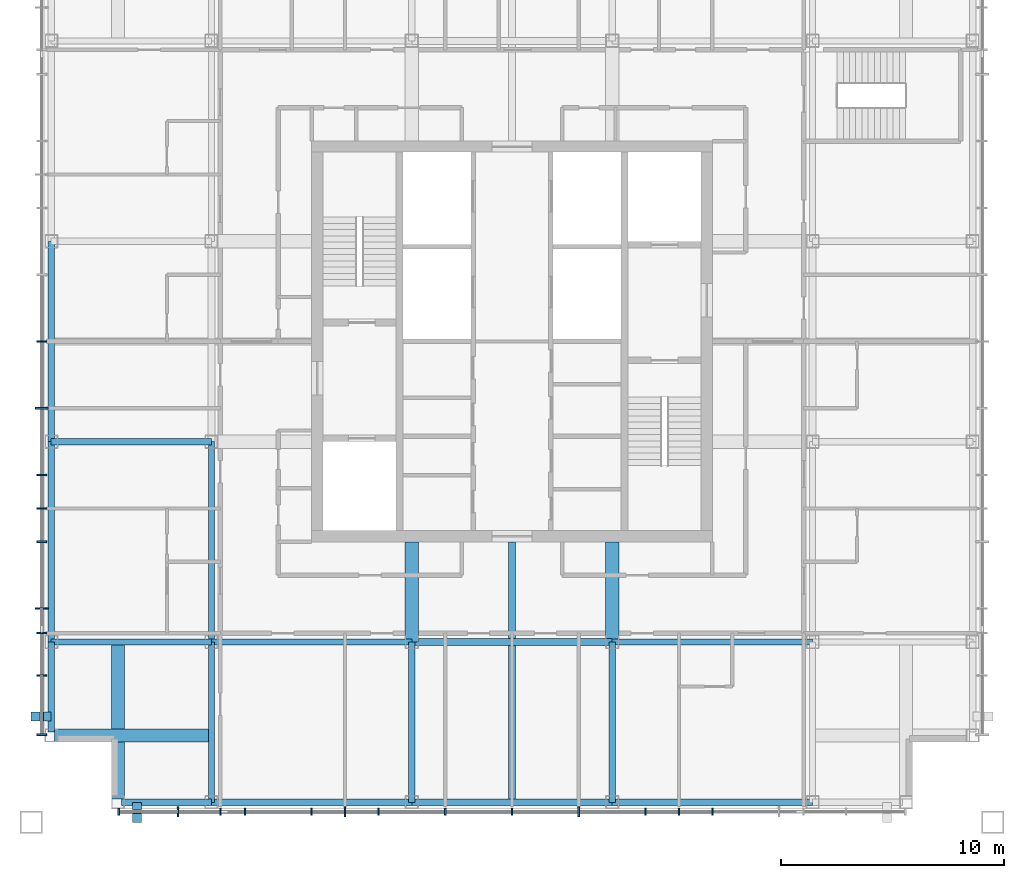
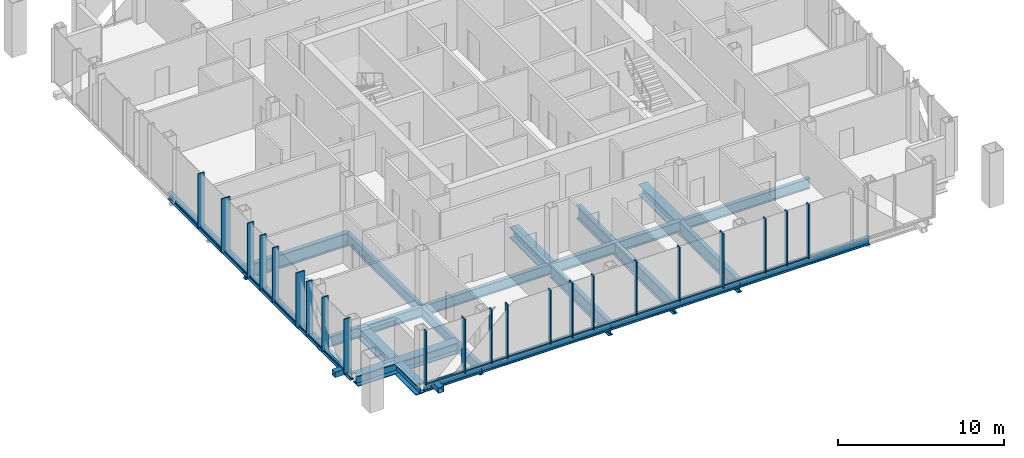
# One storey, part 2 of 16: 45 members, 21 beams, 2 elements without a shape of their own.
"""IFC4 building model written with IfcOpenShell, lengths in metres."""

import ifcopenshell
import ifcopenshell.guid

model = None  # the IFC model being written
_history = None  # IfcOwnerHistory: only IFC2X3 demands one
_inside = {}  # id of a spatial element -> (the spatial element, [elements in it])
_under = {}  # id of a project, library or spatial element -> (it, [spatial elements below it])
_declared = {}  # id of a project -> (the project, [libraries it declares])
_typed = {}  # id of a type object -> (the type object, [elements of that type])
_made_of = {}  # id of a material, layer set ... -> (it, [elements and type objects made of it])


def new_model(schema):
    """Start an empty IFC model of exactly this schema.

    Asked for "IFC4X3", IfcOpenShell would pick the latest addendum, in which some entities
    have other attributes; the version numbers below select the first issue.
    IFC2X3 requires an IfcOwnerHistory on every rooted entity: one is made here for all.
    """
    global model, _history
    if schema == "IFC4X3":
        model = ifcopenshell.file(schema_version=(4, 3, 0, 0))
    else:
        model = ifcopenshell.file(schema=schema)
    _inside.clear()
    _under.clear()
    _declared.clear()
    _typed.clear()
    _made_of.clear()
    _history = None
    if model.schema == "IFC2X3":
        org = make("IfcOrganization", Name="unknown")
        user = make(
            "IfcPersonAndOrganization",
            ThePerson=make("IfcPerson", FamilyName="unknown"),
            TheOrganization=org,
        )
        app = make(
            "IfcApplication",
            ApplicationDeveloper=org,
            Version="unknown",
            ApplicationFullName="unknown",
            ApplicationIdentifier="unknown",
        )
        _history = make(
            "IfcOwnerHistory",
            OwningUser=user,
            OwningApplication=app,
            ChangeAction="ADDED",
            CreationDate=0,
        )
    return model


def make(cls, **values):
    """One entity of the class cls with the attributes given. An attribute that is None is left unset."""
    return model.create_entity(
        cls, **{name: value for name, value in values.items() if value is not None}
    )


def rooted(cls, **values):
    """An entity with a GlobalId (a new one), such as an element, a storey or a relation."""
    return make(cls, GlobalId=ifcopenshell.guid.new(), OwnerHistory=_history, **values)


def si_unit(unit_type, name, prefix=None):
    """IfcSIUnit, for example si_unit("LENGTHUNIT", "METRE", prefix="MILLI")."""
    return make("IfcSIUnit", UnitType=unit_type, Prefix=prefix, Name=name)


def assignment(units):
    """IfcUnitAssignment: the units of a project."""
    return None if units is None else make("IfcUnitAssignment", Units=units)


def point(xyz):
    """IfcCartesianPoint."""
    return None if xyz is None else make("IfcCartesianPoint", Coordinates=xyz)


def direction(xyz):
    """IfcDirection."""
    return None if xyz is None else make("IfcDirection", DirectionRatios=xyz)


def frame(location, z_axis=None, x_axis=None):
    """IfcAxis2Placement3D, a coordinate frame: its origin and axes. An axis left out is left unset."""
    return make(
        "IfcAxis2Placement3D",
        Location=point(location),
        Axis=direction(z_axis),
        RefDirection=direction(x_axis),
    )


def frame_2d(location, x_axis=None):
    """IfcAxis2Placement2D, a coordinate frame in the plane: its origin and x axis."""
    return make(
        "IfcAxis2Placement2D", Location=point(location), RefDirection=direction(x_axis)
    )


def origin():
    """The frame at (0, 0, 0) with its axes left unset."""
    return frame((0.0, 0.0, 0.0))


def origin_2d():
    """The frame at (0, 0) in the plane with its x axis left unset."""
    return frame_2d((0.0, 0.0))


def place(relative_to, where):
    """IfcLocalPlacement: puts the frame where relative to a parent placement (None: the world)."""
    return make(
        "IfcLocalPlacement", PlacementRelTo=relative_to, RelativePlacement=where
    )


def context(
    kind, dimensions, precision=None, world=None, true_north=None, identifier=None
):
    """IfcGeometricRepresentationContext, for example the 3D "Model" context."""
    return make(
        "IfcGeometricRepresentationContext",
        ContextIdentifier=identifier,
        ContextType=kind,
        CoordinateSpaceDimension=dimensions,
        Precision=precision,
        WorldCoordinateSystem=world,
        TrueNorth=true_north,
    )


def subcontext(parent, identifier, kind, view, scale=None):
    """IfcGeometricRepresentationSubContext, for example "Body" below "Model"."""
    return make(
        "IfcGeometricRepresentationSubContext",
        ContextIdentifier=identifier,
        ContextType=kind,
        ParentContext=parent,
        TargetScale=scale,
        TargetView=view,
    )


def project(units=None, contexts=None):
    """IfcProject with its units and contexts."""
    return rooted(
        "IfcProject",
        Name="project",
        RepresentationContexts=contexts,
        UnitsInContext=assignment(units),
    )


def spatial(cls, under=None, at=None, **own):
    """A site, building, storey or space (cls), placed at a placement, below another one or the project."""
    s = rooted(cls, ObjectPlacement=at, **own)
    if under is not None:
        _under.setdefault(under.id(), (under, []))[1].append(s)
    return s


def profile(cls, at=None, kind="AREA", **sizes):
    """A parametric profile (cls). Its sizes go by their IFC names, for example OverallWidth=200.0."""
    return make(cls, ProfileType=kind, Position=at, **sizes)


def rectangle(**sizes):
    """IfcRectangleProfileDef."""
    return profile("IfcRectangleProfileDef", **sizes)


def hollow_rectangle(**sizes):
    """IfcRectangleHollowProfileDef."""
    return profile("IfcRectangleHollowProfileDef", **sizes)


def i_section(**sizes):
    """IfcIShapeProfileDef."""
    return profile("IfcIShapeProfileDef", **sizes)


def extrude(swept, where, along, depth):
    """IfcExtrudedAreaSolid: the profile swept, set in the frame where, extruded along a direction by depth."""
    return make(
        "IfcExtrudedAreaSolid",
        SweptArea=swept,
        Position=where,
        ExtrudedDirection=direction(along),
        Depth=depth,
    )


def shape(context_of_items, identifier, shape_type, items):
    """IfcShapeRepresentation: the items that make up one representation, for example the "Body"."""
    return make(
        "IfcShapeRepresentation",
        ContextOfItems=context_of_items,
        RepresentationIdentifier=identifier,
        RepresentationType=shape_type,
        Items=items,
    )


def material(Name=None, Category=None):
    """IfcMaterial."""
    return make("IfcMaterial", Name=Name, Category=Category)


def layer(
    of_material, thickness, ventilated=None, Name=None, Category=None, Priority=None
):
    """IfcMaterialLayer: one layer of a wall or slab, of a material (None: an air gap)."""
    return make(
        "IfcMaterialLayer",
        Material=of_material,
        LayerThickness=thickness,
        IsVentilated=ventilated,
        Name=Name,
        Category=Category,
        Priority=Priority,
    )


def layer_set(layers, Name=None):
    """IfcMaterialLayerSet."""
    return make("IfcMaterialLayerSet", MaterialLayers=layers, LayerSetName=Name)


def material_profile(
    of_material, cross_section, Name=None, Category=None, Priority=None
):
    """IfcMaterialProfile: a cross section and its material."""
    return make(
        "IfcMaterialProfile",
        Name=Name,
        Material=of_material,
        Profile=cross_section,
        Priority=Priority,
        Category=Category,
    )


def profile_set(profiles, Name=None, composite=None):
    """IfcMaterialProfileSet."""
    return make(
        "IfcMaterialProfileSet",
        Name=Name,
        MaterialProfiles=profiles,
        CompositeProfile=composite,
    )


def made_of(thing, what):
    """Note that an element or type object is made of a material, layer set ...; save() writes the relation."""
    if what is not None:
        _made_of.setdefault(what.id(), (what, []))[1].append(thing)
    return thing


def type_object(cls, material=None, **own):
    """A type object (cls), such as IfcWallType, which elements share."""
    return made_of(rooted(cls, **own), material)


def element(
    cls,
    number,
    at=None,
    inside=None,
    cuts=None,
    type_object=None,
    material=None,
    context=None,
    identifier="Body",
    shape_type=None,
    held_by="IfcProductDefinitionShape",
    body=None,
    shapes=None,
    **own,
):
    """One element of the class cls, such as IfcWall. Its Tag is "e" and its number.

    at: its placement. inside: the storey or other place that contains it. cuts: it is an
    opening in that element (IfcRelVoidsElement). A single representation is given by context,
    identifier, shape_type and body (its items); several are given by shapes. held_by: the class
    of the entity that holds the representations. save() writes the other relations.
    """
    e = rooted(cls, Tag="e%d" % number, ObjectPlacement=at, **own)
    if body is not None:
        shapes = [shape(context, identifier, shape_type, body)]
    if shapes is not None:
        e.Representation = make(held_by, Representations=shapes)
    if inside is not None:
        _inside.setdefault(inside.id(), (inside, []))[1].append(e)
    if cuts is not None:
        rooted(
            "IfcRelVoidsElement", RelatingBuildingElement=cuts, RelatedOpeningElement=e
        )
    if type_object is not None:
        _typed.setdefault(type_object.id(), (type_object, []))[1].append(e)
    return made_of(e, material)


def aggregate(whole, parts):
    """IfcRelAggregates: a whole, such as a stair, and the parts it consists of."""
    return rooted("IfcRelAggregates", RelatingObject=whole, RelatedObjects=parts)


def save(model, path):
    """Write the relations noted so far, then the file.

    IfcRelAggregates (storeys below a building ...), IfcRelContainedInSpatialStructure (elements
    in a storey), IfcRelDefinesByType, IfcRelAssociatesMaterial and IfcRelDeclares: one each for
    every whole, place, type object, material and project.
    """
    for whole, parts in _under.values():
        aggregate(whole, parts)
    for where, things in _inside.values():
        rooted(
            "IfcRelContainedInSpatialStructure",
            RelatedElements=things,
            RelatingStructure=where,
        )
    for kind, things in _typed.values():
        rooted("IfcRelDefinesByType", RelatedObjects=things, RelatingType=kind)
    for what, things in _made_of.values():
        rooted("IfcRelAssociatesMaterial", RelatedObjects=things, RelatingMaterial=what)
    for by, libraries in _declared.values():
        rooted("IfcRelDeclares", RelatingContext=by, RelatedDefinitions=libraries)
    model.write(path)


model = new_model("IFC4")

# Units and contexts
model_context = context("Model", 3, precision=1e-05, world=origin(), true_north=direction((0.0, 1.0)))
body_context = subcontext(model_context, "Body", "Model", "MODEL_VIEW")
ifc_project = project(units=[si_unit("LENGTHUNIT", "METRE"), si_unit("AREAUNIT", "SQUARE_METRE"), si_unit("VOLUMEUNIT", "CUBIC_METRE"), si_unit("PLANEANGLEUNIT", "RADIAN"), si_unit("MASSUNIT", "GRAM", prefix="KILO")], contexts=[model_context])

# Site, building, storey
site_placement = place(None, origin())
site = spatial("IfcSite", under=ifc_project, at=site_placement, CompositionType="ELEMENT")
building_placement = place(site_placement, origin())
building = spatial("IfcBuilding", under=site, at=building_placement, Name="Malebo Sky Hospital", CompositionType="ELEMENT")
storey_placement = place(building_placement, frame((0.0, 0.0, 254.0)))
storey = spatial("IfcBuildingStorey", under=building, at=storey_placement, Name="L61", CompositionType="ELEMENT", Elevation=254.0)

# Curtain wall, members
ifc_material_1 = material(Name="Anodised aluminium, natural silver", Category="aluminium")
ifc_layer_1 = layer(ifc_material_1, 0.25)
ifc_layer_set_1 = layer_set([ifc_layer_1], Name="WARD CURTAIN WALL EAST AND WEST")
curtain_wall_type_1 = type_object("IfcCurtainWallType", Name="WARD CURTAIN WALL EAST AND WEST", PredefinedType="NOTDEFINED", material=ifc_layer_set_1)
curtain_wall_1_placement = place(storey_placement, origin())
curtain_wall_1 = element("IfcCurtainWall", 1, at=curtain_wall_1_placement, inside=storey, type_object=curtain_wall_type_1, Name="EW curtain wall W", PredefinedType="NOTDEFINED")
ifc_material_profile_1 = material_profile(ifc_material_1, rectangle(XDim=0.14990234375, YDim=0.10009765625, at=origin_2d()), Name="ALUMINIUM TRANSOM 150x100")
ifc_profile_set_1 = profile_set([ifc_material_profile_1], Name="Anodised aluminium, natural silver")
member_type_1 = type_object("IfcMemberType", Name="ALUMINIUM TRANSOM 150x100", PredefinedType="USERDEFINED", material=ifc_profile_set_1)
member_1_placement = place(storey_placement, frame((38.875, 44.375, 0.050048828125), z_axis=(0.0, 1.0, 0.0), x_axis=(-1.0, 0.0, 0.0)))
member_1 = element("IfcMember", 2, at=member_1_placement, type_object=member_type_1, Name="Transom 1", ObjectType="TRANSOM", PredefinedType="USERDEFINED", context=body_context, shape_type="SweptSolid", body=[
    extrude(rectangle(XDim=0.14990234375, YDim=0.10009765625, at=origin_2d()), origin(), (0.0, 0.0, 1.0), 2.58740234375),
])
member_2_placement = place(storey_placement, frame((38.875, 47.03759765625, 0.050048828125), z_axis=(0.0, 1.0, 0.0), x_axis=(-1.0, 0.0, 0.0)))
member_2 = element("IfcMember", 3, at=member_2_placement, type_object=member_type_1, Name="Transom 2", ObjectType="TRANSOM", PredefinedType="USERDEFINED", context=body_context, shape_type="SweptSolid", body=[
    extrude(rectangle(XDim=0.14990234375, YDim=0.10009765625, at=origin_2d()), origin(), (0.0, 0.0, 1.0), 1.824951171875),
])
member_3_placement = place(storey_placement, frame((38.875, 48.9375, 0.050048828125), z_axis=(0.0, 1.0, 0.0), x_axis=(-1.0, 0.0, 0.0)))
member_3 = element("IfcMember", 4, at=member_3_placement, type_object=member_type_1, Name="Transom 3", ObjectType="TRANSOM", PredefinedType="USERDEFINED", context=body_context, shape_type="SweptSolid", body=[
    extrude(rectangle(XDim=0.14990234375, YDim=0.10009765625, at=origin_2d()), origin(), (0.0, 0.0, 1.0), 1.02490234375),
])
member_4_placement = place(storey_placement, frame((38.875, 50.03759765625, 0.050048828125), z_axis=(0.0, 1.0, 0.0), x_axis=(-1.0, 0.0, 0.0)))
member_4 = element("IfcMember", 5, at=member_4_placement, type_object=member_type_1, Name="Transom 4", ObjectType="TRANSOM", PredefinedType="USERDEFINED", context=body_context, shape_type="SweptSolid", body=[
    extrude(rectangle(XDim=0.14990234375, YDim=0.10009765625, at=origin_2d()), origin(), (0.0, 0.0, 1.0), 2.9248046875),
])
member_5_placement = place(storey_placement, frame((38.875, 53.03759765625, 0.050048828125), z_axis=(0.0, 1.0, 0.0), x_axis=(-1.0, 0.0, 0.0)))
member_5 = element("IfcMember", 6, at=member_5_placement, type_object=member_type_1, Name="Transom 5", ObjectType="TRANSOM", PredefinedType="USERDEFINED", context=body_context, shape_type="SweptSolid", body=[
    extrude(rectangle(XDim=0.14990234375, YDim=0.10009765625, at=origin_2d()), origin(), (0.0, 0.0, 1.0), 1.4248046875),
])
member_6_placement = place(storey_placement, frame((38.875, 54.53759765625, 0.050048828125), z_axis=(0.0, 1.0, 0.0), x_axis=(-1.0, 0.0, 0.0)))
member_6 = element("IfcMember", 7, at=member_6_placement, type_object=member_type_1, Name="Transom 6", ObjectType="TRANSOM", PredefinedType="USERDEFINED", context=body_context, shape_type="SweptSolid", body=[
    extrude(rectangle(XDim=0.14990234375, YDim=0.10009765625, at=origin_2d()), origin(), (0.0, 0.0, 1.0), 1.4248046875),
])
member_7_placement = place(storey_placement, frame((38.875, 56.03759765625, 0.050048828125), z_axis=(0.0, 1.0, 0.0), x_axis=(-1.0, 0.0, 0.0)))
member_7 = element("IfcMember", 8, at=member_7_placement, type_object=member_type_1, Name="Transom 7", ObjectType="TRANSOM", PredefinedType="USERDEFINED", context=body_context, shape_type="SweptSolid", body=[
    extrude(rectangle(XDim=0.14990234375, YDim=0.10009765625, at=origin_2d()), origin(), (0.0, 0.0, 1.0), 2.9248046875),
])
member_8_placement = place(storey_placement, frame((38.875, 59.03759765625, 0.050048828125), z_axis=(0.0, 1.0, 0.0), x_axis=(-1.0, 0.0, 0.0)))
member_8 = element("IfcMember", 9, at=member_8_placement, type_object=member_type_1, Name="Transom 8", ObjectType="TRANSOM", PredefinedType="USERDEFINED", context=body_context, shape_type="SweptSolid", body=[
    extrude(rectangle(XDim=0.14990234375, YDim=0.10009765625, at=origin_2d()), origin(), (0.0, 0.0, 1.0), 2.9248046875),
])
member_9_placement = place(storey_placement, frame((38.875, 62.03759765625, 0.050048828125), z_axis=(0.0, 1.0, 0.0), x_axis=(-1.0, 0.0, 0.0)))
member_9 = element("IfcMember", 10, at=member_9_placement, type_object=member_type_1, Name="Transom 9", ObjectType="TRANSOM", PredefinedType="USERDEFINED", context=body_context, shape_type="SweptSolid", body=[
    extrude(rectangle(XDim=0.14990234375, YDim=0.10009765625, at=origin_2d()), origin(), (0.0, 0.0, 1.0), 2.9248046875),
])

ifc_layer_2 = layer(ifc_material_1, 0.25)
ifc_layer_set_2 = layer_set([ifc_layer_2], Name="WARD CURTAIN WALL NORTH AND SOUTH")
curtain_wall_type_2 = type_object("IfcCurtainWallType", Name="WARD CURTAIN WALL NORTH AND SOUTH", PredefinedType="NOTDEFINED", material=ifc_layer_set_2)
curtain_wall_2_placement = place(storey_placement, origin())
curtain_wall_2 = element("IfcCurtainWall", 11, at=curtain_wall_2_placement, inside=storey, type_object=curtain_wall_type_2, Name="NS curtain wall S", PredefinedType="NOTDEFINED")
member_10_placement = place(storey_placement, frame((68.96240234375, 40.875, 0.050048828125), z_axis=(-1.0, 0.0, 0.0), x_axis=(0.0, -1.0, 0.0)))
member_10 = element("IfcMember", 12, at=member_10_placement, type_object=member_type_1, Name="Transom 5", ObjectType="TRANSOM", PredefinedType="USERDEFINED", context=body_context, shape_type="SweptSolid", body=[
    extrude(rectangle(XDim=0.14990234375, YDim=0.10009765625, at=origin_2d()), origin(), (0.0, 0.0, 1.0), 1.4248046875),
])
member_11_placement = place(storey_placement, frame((67.46240234375, 40.875, 0.050048828125), z_axis=(-1.0, 0.0, 0.0), x_axis=(0.0, -1.0, 0.0)))
member_11 = element("IfcMember", 13, at=member_11_placement, type_object=member_type_1, Name="Transom 6", ObjectType="TRANSOM", PredefinedType="USERDEFINED", context=body_context, shape_type="SweptSolid", body=[
    extrude(rectangle(XDim=0.14990234375, YDim=0.10009765625, at=origin_2d()), origin(), (0.0, 0.0, 1.0), 1.4248046875),
])
member_12_placement = place(storey_placement, frame((65.96240234375, 40.875, 0.050048828125), z_axis=(-1.0, 0.0, 0.0), x_axis=(0.0, -1.0, 0.0)))
member_12 = element("IfcMember", 14, at=member_12_placement, type_object=member_type_1, Name="Transom 7", ObjectType="TRANSOM", PredefinedType="USERDEFINED", context=body_context, shape_type="SweptSolid", body=[
    extrude(rectangle(XDim=0.14990234375, YDim=0.10009765625, at=origin_2d()), origin(), (0.0, 0.0, 1.0), 2.9248046875),
])
member_13_placement = place(storey_placement, frame((62.96240234375, 40.875, 0.050048828125), z_axis=(-1.0, 0.0, 0.0), x_axis=(0.0, -1.0, 0.0)))
member_13 = element("IfcMember", 15, at=member_13_placement, type_object=member_type_1, Name="Transom 8", ObjectType="TRANSOM", PredefinedType="USERDEFINED", context=body_context, shape_type="SweptSolid", body=[
    extrude(rectangle(XDim=0.14990234375, YDim=0.10009765625, at=origin_2d()), origin(), (0.0, 0.0, 1.0), 2.9248046875),
])
member_14_placement = place(storey_placement, frame((59.96240234375, 40.875, 0.050048828125), z_axis=(-1.0, 0.0, 0.0), x_axis=(0.0, -1.0, 0.0)))
member_14 = element("IfcMember", 16, at=member_14_placement, type_object=member_type_1, Name="Transom 9", ObjectType="TRANSOM", PredefinedType="USERDEFINED", context=body_context, shape_type="SweptSolid", body=[
    extrude(rectangle(XDim=0.14990234375, YDim=0.10009765625, at=origin_2d()), origin(), (0.0, 0.0, 1.0), 2.9248046875),
])
member_15_placement = place(storey_placement, frame((56.96240234375, 40.875, 0.050048828125), z_axis=(-1.0, 0.0, 0.0), x_axis=(0.0, -1.0, 0.0)))
member_15 = element("IfcMember", 17, at=member_15_placement, type_object=member_type_1, Name="Transom 10", ObjectType="TRANSOM", PredefinedType="USERDEFINED", context=body_context, shape_type="SweptSolid", body=[
    extrude(rectangle(XDim=0.14990234375, YDim=0.10009765625, at=origin_2d()), origin(), (0.0, 0.0, 1.0), 2.9248046875),
])
member_16_placement = place(storey_placement, frame((53.96240234375, 40.875, 0.050048828125), z_axis=(-1.0, 0.0, 0.0), x_axis=(0.0, -1.0, 0.0)))
member_16 = element("IfcMember", 18, at=member_16_placement, type_object=member_type_1, Name="Transom 11", ObjectType="TRANSOM", PredefinedType="USERDEFINED", context=body_context, shape_type="SweptSolid", body=[
    extrude(rectangle(XDim=0.14990234375, YDim=0.10009765625, at=origin_2d()), origin(), (0.0, 0.0, 1.0), 1.4248046875),
])
member_17_placement = place(storey_placement, frame((52.46240234375, 40.875, 0.050048828125), z_axis=(-1.0, 0.0, 0.0), x_axis=(0.0, -1.0, 0.0)))
member_17 = element("IfcMember", 19, at=member_17_placement, type_object=member_type_1, Name="Transom 12", ObjectType="TRANSOM", PredefinedType="USERDEFINED", context=body_context, shape_type="SweptSolid", body=[
    extrude(rectangle(XDim=0.14990234375, YDim=0.10009765625, at=origin_2d()), origin(), (0.0, 0.0, 1.0), 1.4248046875),
])
member_18_placement = place(storey_placement, frame((50.96240234375, 40.875, 0.050048828125), z_axis=(-1.0, 0.0, 0.0), x_axis=(0.0, -1.0, 0.0)))
member_18 = element("IfcMember", 20, at=member_18_placement, type_object=member_type_1, Name="Transom 13", ObjectType="TRANSOM", PredefinedType="USERDEFINED", context=body_context, shape_type="SweptSolid", body=[
    extrude(rectangle(XDim=0.14990234375, YDim=0.10009765625, at=origin_2d()), origin(), (0.0, 0.0, 1.0), 2.9248046875),
])
member_19_placement = place(storey_placement, frame((47.96240234375, 40.875, 0.050048828125), z_axis=(-1.0, 0.0, 0.0), x_axis=(0.0, -1.0, 0.0)))
member_19 = element("IfcMember", 21, at=member_19_placement, type_object=member_type_1, Name="Transom 14", ObjectType="TRANSOM", PredefinedType="USERDEFINED", context=body_context, shape_type="SweptSolid", body=[
    extrude(rectangle(XDim=0.14990234375, YDim=0.10009765625, at=origin_2d()), origin(), (0.0, 0.0, 1.0), 1.02490234375),
])
member_20_placement = place(storey_placement, frame((46.862548828125, 40.875, 0.050048828125), z_axis=(-1.0, 0.0, 0.0), x_axis=(0.0, -1.0, 0.0)))
member_20 = element("IfcMember", 22, at=member_20_placement, type_object=member_type_1, Name="Transom 15", ObjectType="TRANSOM", PredefinedType="USERDEFINED", context=body_context, shape_type="SweptSolid", body=[
    extrude(rectangle(XDim=0.14990234375, YDim=0.10009765625, at=origin_2d()), origin(), (0.0, 0.0, 1.0), 1.824951171875),
])
member_21_placement = place(storey_placement, frame((44.96240234375, 40.875, 0.050048828125), z_axis=(-1.0, 0.0, 0.0), x_axis=(0.0, -1.0, 0.0)))
member_21 = element("IfcMember", 23, at=member_21_placement, type_object=member_type_1, Name="Transom 16", ObjectType="TRANSOM", PredefinedType="USERDEFINED", context=body_context, shape_type="SweptSolid", body=[
    extrude(rectangle(XDim=0.14990234375, YDim=0.10009765625, at=origin_2d()), origin(), (0.0, 0.0, 1.0), 2.58740234375),
])

# Members
ifc_material_2 = material(Name="Steel S355", Category="steel")
ifc_material_profile_2 = material_profile(ifc_material_2, hollow_rectangle(XDim=0.39990234375, YDim=0.39990234375, WallThickness=0.02001953125, at=origin_2d()), Name="SHS 400x20")
ifc_profile_set_2 = profile_set([ifc_material_profile_2], Name="Steel S355")
member_type_2 = type_object("IfcMemberType", Name="BRACE STRUT SHS 400x20", PredefinedType="STRUT", material=ifc_profile_set_2)
for number, where, z_axis, x_axis, name in (
    (24, (43.152587890625, 40.39990234375, -0.39990234375), (0.0, 1.0, 0.0), (-1.0, 0.0, 0.0), "Brace strut DS1 L61"),
    (25, (38.39990234375, 45.152587890625, -0.39990234375), (1.0, 0.0, 0.0), (0.0, 1.0, 0.0), "Brace strut DW2 L61"),
):
    element("IfcMember", number, at=place(storey_placement, frame(where, z_axis=z_axis, x_axis=x_axis)), inside=storey, type_object=member_type_2, Name=name, PredefinedType="STRUT", context=body_context, shape_type="SweptSolid", body=[
        extrude(hollow_rectangle(XDim=0.39990234375, YDim=0.39990234375, WallThickness=0.02001953125, at=origin_2d()), origin(), (0.0, 0.0, 1.0), 0.900146484375),
    ])

# Member
ifc_material_profile_3 = material_profile(ifc_material_1, rectangle(XDim=0.074951171875, YDim=0.300048828125, at=origin_2d()), Name="CW1 ALUMINIUM FIN MULLION 75x300")
ifc_profile_set_3 = profile_set([ifc_material_profile_3], Name="Anodised aluminium, natural silver")
member_type_3 = type_object("IfcMemberType", Name="CW1 ALUMINIUM FIN MULLION 75x300", PredefinedType="MULLION", material=ifc_profile_set_3)
member_22_placement = place(storey_placement, frame((69.0, 40.875, 0.0), z_axis=(0.0, 0.0, 1.0), x_axis=(-1.0, 0.0, 0.0)))
member_22 = element("IfcMember", 26, at=member_22_placement, type_object=member_type_3, Name="Fin mullion 5", PredefinedType="MULLION", context=body_context, shape_type="SweptSolid", body=[
    extrude(rectangle(XDim=0.074951171875, YDim=0.300048828125, at=origin_2d()), origin(), (0.0, 0.0, 1.0), 4.0),
])

member_23_placement = place(storey_placement, frame((67.5, 40.875, 0.0), z_axis=(0.0, 0.0, 1.0), x_axis=(-1.0, 0.0, 0.0)))
member_23 = element("IfcMember", 27, at=member_23_placement, type_object=member_type_3, Name="Fin mullion 6", PredefinedType="MULLION", context=body_context, shape_type="SweptSolid", body=[
    extrude(rectangle(XDim=0.074951171875, YDim=0.300048828125, at=origin_2d()), origin(), (0.0, 0.0, 1.0), 4.0),
])

member_24_placement = place(storey_placement, frame((66.0, 40.875, 0.0), z_axis=(0.0, 0.0, 1.0), x_axis=(-1.0, 0.0, 0.0)))
member_24 = element("IfcMember", 28, at=member_24_placement, type_object=member_type_3, Name="Fin mullion 7", PredefinedType="MULLION", context=body_context, shape_type="SweptSolid", body=[
    extrude(rectangle(XDim=0.074951171875, YDim=0.300048828125, at=origin_2d()), origin(), (0.0, 0.0, 1.0), 4.0),
])

member_25_placement = place(storey_placement, frame((60.0, 40.875, 0.0), z_axis=(0.0, 0.0, 1.0), x_axis=(-1.0, 0.0, 0.0)))
member_25 = element("IfcMember", 29, at=member_25_placement, type_object=member_type_3, Name="Fin mullion 9", PredefinedType="MULLION", context=body_context, shape_type="SweptSolid", body=[
    extrude(rectangle(XDim=0.074951171875, YDim=0.300048828125, at=origin_2d()), origin(), (0.0, 0.0, 1.0), 4.0),
])

member_26_placement = place(storey_placement, frame((57.0, 40.875, 0.0), z_axis=(0.0, 0.0, 1.0), x_axis=(-1.0, 0.0, 0.0)))
member_26 = element("IfcMember", 30, at=member_26_placement, type_object=member_type_3, Name="Fin mullion 10", PredefinedType="MULLION", context=body_context, shape_type="SweptSolid", body=[
    extrude(rectangle(XDim=0.074951171875, YDim=0.300048828125, at=origin_2d()), origin(), (0.0, 0.0, 1.0), 4.0),
])

member_27_placement = place(storey_placement, frame((54.0, 40.875, 0.0), z_axis=(0.0, 0.0, 1.0), x_axis=(-1.0, 0.0, 0.0)))
member_27 = element("IfcMember", 31, at=member_27_placement, type_object=member_type_3, Name="Fin mullion 11", PredefinedType="MULLION", context=body_context, shape_type="SweptSolid", body=[
    extrude(rectangle(XDim=0.074951171875, YDim=0.300048828125, at=origin_2d()), origin(), (0.0, 0.0, 1.0), 4.0),
])

member_28_placement = place(storey_placement, frame((51.0, 40.875, 0.0), z_axis=(0.0, 0.0, 1.0), x_axis=(-1.0, 0.0, 0.0)))
member_28 = element("IfcMember", 32, at=member_28_placement, type_object=member_type_3, Name="Fin mullion 13", PredefinedType="MULLION", context=body_context, shape_type="SweptSolid", body=[
    extrude(rectangle(XDim=0.074951171875, YDim=0.300048828125, at=origin_2d()), origin(), (0.0, 0.0, 1.0), 4.0),
])

member_29_placement = place(storey_placement, frame((48.0, 40.875, 0.0), z_axis=(0.0, 0.0, 1.0), x_axis=(-1.0, 0.0, 0.0)))
member_29 = element("IfcMember", 33, at=member_29_placement, type_object=member_type_3, Name="Fin mullion 14", PredefinedType="MULLION", context=body_context, shape_type="SweptSolid", body=[
    extrude(rectangle(XDim=0.074951171875, YDim=0.300048828125, at=origin_2d()), origin(), (0.0, 0.0, 1.0), 4.0),
])

member_30_placement = place(storey_placement, frame((46.89990234375, 40.875, 0.0), z_axis=(0.0, 0.0, 1.0), x_axis=(-1.0, 0.0, 0.0)))
member_30 = element("IfcMember", 34, at=member_30_placement, type_object=member_type_3, Name="Fin mullion 15", PredefinedType="MULLION", context=body_context, shape_type="SweptSolid", body=[
    extrude(rectangle(XDim=0.074951171875, YDim=0.300048828125, at=origin_2d()), origin(), (0.0, 0.0, 1.0), 4.0),
])

member_31_placement = place(storey_placement, frame((42.33740234375, 40.875, 0.0), z_axis=(0.0, 0.0, 1.0), x_axis=(-1.0, 0.0, 0.0)))
member_31 = element("IfcMember", 35, at=member_31_placement, type_object=member_type_3, Name="Fin mullion 17", PredefinedType="MULLION", context=body_context, shape_type="SweptSolid", body=[
    extrude(rectangle(XDim=0.074951171875, YDim=0.300048828125, at=origin_2d()), origin(), (0.0, 0.0, 1.0), 4.0),
])

ifc_material_profile_4 = material_profile(ifc_material_1, rectangle(XDim=0.074951171875, YDim=0.449951171875, at=origin_2d()), Name="CW1 ALUMINIUM FIN MULLION 75x450")
ifc_profile_set_4 = profile_set([ifc_material_profile_4], Name="Anodised aluminium, natural silver")
member_type_4 = type_object("IfcMemberType", Name="CW1 ALUMINIUM FIN MULLION 75x450", PredefinedType="MULLION", material=ifc_profile_set_4)
member_32_placement = place(storey_placement, frame((63.0, 40.875, 0.0), z_axis=(0.0, 0.0, 1.0), x_axis=(-1.0, 0.0, 0.0)))
member_32 = element("IfcMember", 36, at=member_32_placement, type_object=member_type_4, Name="Fin mullion 8", PredefinedType="MULLION", context=body_context, shape_type="SweptSolid", body=[
    extrude(rectangle(XDim=0.074951171875, YDim=0.449951171875, at=origin_2d()), origin(), (0.0, 0.0, 1.0), 4.0),
])

member_33_placement = place(storey_placement, frame((52.5, 40.875, 0.0), z_axis=(0.0, 0.0, 1.0), x_axis=(-1.0, 0.0, 0.0)))
member_33 = element("IfcMember", 37, at=member_33_placement, type_object=member_type_4, Name="Fin mullion 12", PredefinedType="MULLION", context=body_context, shape_type="SweptSolid", body=[
    extrude(rectangle(XDim=0.074951171875, YDim=0.449951171875, at=origin_2d()), origin(), (0.0, 0.0, 1.0), 4.0),
])

member_34_placement = place(storey_placement, frame((45.0, 40.875, 0.0), z_axis=(0.0, 0.0, 1.0), x_axis=(-1.0, 0.0, 0.0)))
member_34 = element("IfcMember", 38, at=member_34_placement, type_object=member_type_4, Name="Fin mullion 16", PredefinedType="MULLION", context=body_context, shape_type="SweptSolid", body=[
    extrude(rectangle(XDim=0.074951171875, YDim=0.449951171875, at=origin_2d()), origin(), (0.0, 0.0, 1.0), 4.0),
])

aggregate(curtain_wall_2, [member_22, member_23, member_24, member_32, member_25, member_26, member_27, member_33, member_28, member_29, member_30, member_34, member_31, member_10, member_11, member_12, member_13, member_14, member_15, member_16, member_17, member_18, member_19, member_20, member_21])

ifc_material_profile_5 = material_profile(ifc_material_1, rectangle(XDim=0.074951171875, YDim=0.449951171875, at=origin_2d()), Name="CW2 ALUMINIUM FIN MULLION 75x450")
ifc_profile_set_5 = profile_set([ifc_material_profile_5], Name="Anodised aluminium, natural silver")
member_type_5 = type_object("IfcMemberType", Name="CW2 ALUMINIUM FIN MULLION 75x450", PredefinedType="MULLION", material=ifc_profile_set_5)
member_35_placement = place(storey_placement, frame((38.875, 44.33740234375, 0.0), z_axis=(0.0, 0.0, 1.0), x_axis=(0.0, 1.0, 0.0)))
member_35 = element("IfcMember", 39, at=member_35_placement, type_object=member_type_5, Name="Fin mullion 1", PredefinedType="MULLION", context=body_context, shape_type="SweptSolid", body=[
    extrude(rectangle(XDim=0.074951171875, YDim=0.449951171875, at=origin_2d()), origin(), (0.0, 0.0, 1.0), 4.0),
])

member_36_placement = place(storey_placement, frame((38.875, 47.0, 0.0), z_axis=(0.0, 0.0, 1.0), x_axis=(0.0, 1.0, 0.0)))
member_36 = element("IfcMember", 40, at=member_36_placement, type_object=member_type_5, Name="Fin mullion 2", PredefinedType="MULLION", context=body_context, shape_type="SweptSolid", body=[
    extrude(rectangle(XDim=0.074951171875, YDim=0.449951171875, at=origin_2d()), origin(), (0.0, 0.0, 1.0), 4.0),
])

member_37_placement = place(storey_placement, frame((38.875, 48.89990234375, 0.0), z_axis=(0.0, 0.0, 1.0), x_axis=(0.0, 1.0, 0.0)))
member_37 = element("IfcMember", 41, at=member_37_placement, type_object=member_type_5, Name="Fin mullion 3", PredefinedType="MULLION", context=body_context, shape_type="SweptSolid", body=[
    extrude(rectangle(XDim=0.074951171875, YDim=0.449951171875, at=origin_2d()), origin(), (0.0, 0.0, 1.0), 4.0),
])

member_38_placement = place(storey_placement, frame((38.875, 53.0, 0.0), z_axis=(0.0, 0.0, 1.0), x_axis=(0.0, 1.0, 0.0)))
member_38 = element("IfcMember", 42, at=member_38_placement, type_object=member_type_5, Name="Fin mullion 5", PredefinedType="MULLION", context=body_context, shape_type="SweptSolid", body=[
    extrude(rectangle(XDim=0.074951171875, YDim=0.449951171875, at=origin_2d()), origin(), (0.0, 0.0, 1.0), 4.0),
])

member_39_placement = place(storey_placement, frame((38.875, 54.5, 0.0), z_axis=(0.0, 0.0, 1.0), x_axis=(0.0, 1.0, 0.0)))
member_39 = element("IfcMember", 43, at=member_39_placement, type_object=member_type_5, Name="Fin mullion 6", PredefinedType="MULLION", context=body_context, shape_type="SweptSolid", body=[
    extrude(rectangle(XDim=0.074951171875, YDim=0.449951171875, at=origin_2d()), origin(), (0.0, 0.0, 1.0), 4.0),
])

member_40_placement = place(storey_placement, frame((38.875, 56.0, 0.0), z_axis=(0.0, 0.0, 1.0), x_axis=(0.0, 1.0, 0.0)))
member_40 = element("IfcMember", 44, at=member_40_placement, type_object=member_type_5, Name="Fin mullion 7", PredefinedType="MULLION", context=body_context, shape_type="SweptSolid", body=[
    extrude(rectangle(XDim=0.074951171875, YDim=0.449951171875, at=origin_2d()), origin(), (0.0, 0.0, 1.0), 4.0),
])

member_41_placement = place(storey_placement, frame((38.875, 62.0, 0.0), z_axis=(0.0, 0.0, 1.0), x_axis=(0.0, 1.0, 0.0)))
member_41 = element("IfcMember", 45, at=member_41_placement, type_object=member_type_5, Name="Fin mullion 9", PredefinedType="MULLION", context=body_context, shape_type="SweptSolid", body=[
    extrude(rectangle(XDim=0.074951171875, YDim=0.449951171875, at=origin_2d()), origin(), (0.0, 0.0, 1.0), 4.0),
])

ifc_material_profile_6 = material_profile(ifc_material_1, rectangle(XDim=0.074951171875, YDim=0.60009765625, at=origin_2d()), Name="CW2 ALUMINIUM FIN MULLION 75x600")
ifc_profile_set_6 = profile_set([ifc_material_profile_6], Name="Anodised aluminium, natural silver")
member_type_6 = type_object("IfcMemberType", Name="CW2 ALUMINIUM FIN MULLION 75x600", PredefinedType="MULLION", material=ifc_profile_set_6)
member_42_placement = place(storey_placement, frame((38.875, 50.0, 0.0), z_axis=(0.0, 0.0, 1.0), x_axis=(0.0, 1.0, 0.0)))
member_42 = element("IfcMember", 46, at=member_42_placement, type_object=member_type_6, Name="Fin mullion 4", PredefinedType="MULLION", context=body_context, shape_type="SweptSolid", body=[
    extrude(rectangle(XDim=0.074951171875, YDim=0.60009765625, at=origin_2d()), origin(), (0.0, 0.0, 1.0), 4.0),
])

member_43_placement = place(storey_placement, frame((38.875, 59.0, 0.0), z_axis=(0.0, 0.0, 1.0), x_axis=(0.0, 1.0, 0.0)))
member_43 = element("IfcMember", 47, at=member_43_placement, type_object=member_type_6, Name="Fin mullion 8", PredefinedType="MULLION", context=body_context, shape_type="SweptSolid", body=[
    extrude(rectangle(XDim=0.074951171875, YDim=0.60009765625, at=origin_2d()), origin(), (0.0, 0.0, 1.0), 4.0),
])

aggregate(curtain_wall_1, [member_35, member_36, member_37, member_42, member_38, member_39, member_40, member_43, member_41, member_1, member_2, member_3, member_4, member_5, member_6, member_7, member_8, member_9])

# Beams
ifc_material_profile_7 = material_profile(ifc_material_2, i_section(OverallWidth=0.305908203125, OverallDepth=0.52392578125, WebThickness=0.02099609375, FlangeThickness=0.0400390625, FilletRadius=0.027099609375, at=origin_2d()), Name="HEM 500")
ifc_profile_set_7 = profile_set([ifc_material_profile_7], Name="Steel S355")
beam_type_1 = type_object("IfcBeamType", Name="EDGE BEAM HEM 500", PredefinedType="BEAM", material=ifc_profile_set_7)
beam_1_placement = place(storey_placement, frame((39.300048828125, 44.449951171875, -0.511962890625), z_axis=(0.0, 1.0, 0.0), x_axis=(-1.0, 0.0, 0.0)))
element("IfcBeam", 48, at=beam_1_placement, inside=storey, type_object=beam_type_1, Name="Beam 000 L61", PredefinedType="BEAM", context=body_context, shape_type="SweptSolid", body=[
    extrude(i_section(OverallWidth=0.305908203125, OverallDepth=0.52392578125, WebThickness=0.02099609375, FlangeThickness=0.0400390625, FilletRadius=0.027099609375, at=origin_2d()), origin(), (0.0, 0.0, 1.0), 4.050048828125),
])
for number, where, z_axis, x_axis, name in (
    (49, (39.300048828125, 48.5, -0.511962890625), (0.0, 1.0, 0.0), (-1.0, 0.0, 0.0), "Beam 001 L61"),
    (50, (39.300048828125, 57.5, -0.511962890625), (0.0, 1.0, 0.0), (-1.0, 0.0, 0.0), "Beam 002 L61"),
):
    element("IfcBeam", number, at=place(storey_placement, frame(where, z_axis=z_axis, x_axis=x_axis)), inside=storey, type_object=beam_type_1, Name=name, PredefinedType="BEAM", context=body_context, shape_type="SweptSolid", body=[
        extrude(i_section(OverallWidth=0.305908203125, OverallDepth=0.52392578125, WebThickness=0.02099609375, FlangeThickness=0.0400390625, FilletRadius=0.027099609375, at=origin_2d()), origin(), (0.0, 0.0, 1.0), 9.0),
    ])
beam_2_placement = place(storey_placement, frame((42.449951171875, 41.300048828125, -0.511962890625), z_axis=(1.0, 0.0, 0.0), x_axis=(0.0, 1.0, 0.0)))
element("IfcBeam", 51, at=beam_2_placement, inside=storey, type_object=beam_type_1, Name="Beam 034 L61", PredefinedType="BEAM", context=body_context, shape_type="SweptSolid", body=[
    extrude(i_section(OverallWidth=0.305908203125, OverallDepth=0.52392578125, WebThickness=0.02099609375, FlangeThickness=0.0400390625, FilletRadius=0.027099609375, at=origin_2d()), origin(), (0.0, 0.0, 1.0), 4.050048828125),
])
for number, where, z_axis, x_axis, name in (
    (52, (46.5, 41.300048828125, -0.511962890625), (1.0, 0.0, 0.0), (0.0, 1.0, 0.0), "Beam 035 L61"),
    (53, (55.5, 41.300048828125, -0.511962890625), (1.0, 0.0, 0.0), (0.0, 1.0, 0.0), "Beam 036 L61"),
    (54, (64.5, 41.300048828125, -0.511962890625), (1.0, 0.0, 0.0), (0.0, 1.0, 0.0), "Beam 037 L61"),
):
    element("IfcBeam", number, at=place(storey_placement, frame(where, z_axis=z_axis, x_axis=x_axis)), inside=storey, type_object=beam_type_1, Name=name, PredefinedType="BEAM", context=body_context, shape_type="SweptSolid", body=[
        extrude(i_section(OverallWidth=0.305908203125, OverallDepth=0.52392578125, WebThickness=0.02099609375, FlangeThickness=0.0400390625, FilletRadius=0.027099609375, at=origin_2d()), origin(), (0.0, 0.0, 1.0), 9.0),
    ])
ifc_material_profile_8 = material_profile(ifc_material_2, i_section(OverallWidth=0.300048828125, OverallDepth=1.0, WebThickness=0.01904296875, FlangeThickness=0.035888671875, FilletRadius=0.030029296875, at=origin_2d()), Name="HEB 1000")
ifc_profile_set_8 = profile_set([ifc_material_profile_8], Name="Steel S355")
beam_type_2 = type_object("IfcBeamType", Name="FLOOR BEAM HEB 1000", PredefinedType="BEAM", material=ifc_profile_set_8)
beam_3_placement = place(storey_placement, frame((55.5, 41.300048828125, -0.75), z_axis=(0.0, 1.0, 0.0), x_axis=(-1.0, 0.0, 0.0)))
element("IfcBeam", 55, at=beam_3_placement, inside=storey, type_object=beam_type_2, Name="Beam 012 L61", PredefinedType="BEAM", context=body_context, shape_type="SweptSolid", body=[
    extrude(i_section(OverallWidth=0.300048828125, OverallDepth=1.0, WebThickness=0.01904296875, FlangeThickness=0.035888671875, FilletRadius=0.030029296875, at=origin_2d()), origin(), (0.0, 0.0, 1.0), 7.199951171875),
])
beam_4_placement = place(storey_placement, frame((60.0, 41.300048828125, -0.75), z_axis=(0.0, 1.0, 0.0), x_axis=(-1.0, 0.0, 0.0)))
element("IfcBeam", 56, at=beam_4_placement, inside=storey, type_object=beam_type_2, Name="Beam 016 L61", PredefinedType="BEAM", context=body_context, shape_type="SweptSolid", body=[
    extrude(i_section(OverallWidth=0.300048828125, OverallDepth=1.0, WebThickness=0.01904296875, FlangeThickness=0.035888671875, FilletRadius=0.030029296875, at=origin_2d()), origin(), (0.0, 0.0, 1.0), 11.699951171875),
])
for number, where, z_axis, x_axis, name in (
    (57, (64.5, 41.300048828125, -0.75), (0.0, 1.0, 0.0), (-1.0, 0.0, 0.0), "Beam 018 L61"),
    (58, (39.300048828125, 57.5, -0.75), (1.0, 0.0, 0.0), (0.0, 1.0, 0.0), "Beam 046 L61"),
):
    element("IfcBeam", number, at=place(storey_placement, frame(where, z_axis=z_axis, x_axis=x_axis)), inside=storey, type_object=beam_type_2, Name=name, PredefinedType="BEAM", context=body_context, shape_type="SweptSolid", body=[
        extrude(i_section(OverallWidth=0.300048828125, OverallDepth=1.0, WebThickness=0.01904296875, FlangeThickness=0.035888671875, FilletRadius=0.030029296875, at=origin_2d()), origin(), (0.0, 0.0, 1.0), 7.199951171875),
    ])
ifc_material_profile_9 = material_profile(ifc_material_2, i_section(OverallWidth=0.26708984375, OverallDepth=0.761962890625, WebThickness=0.014404296875, FlangeThickness=0.021484375, FilletRadius=0.01708984375, at=origin_2d()), Name="IPE 750x173")
ifc_profile_set_9 = profile_set([ifc_material_profile_9], Name="Steel S355")
beam_type_3 = type_object("IfcBeamType", Name="FLOOR BEAM IPE 750x173", PredefinedType="BEAM", material=ifc_profile_set_9)
for number, where, z_axis, x_axis, name in (
    (59, (46.5, 48.5, -0.631103515625), (0.0, 1.0, 0.0), (-1.0, 0.0, 0.0), "Beam 008 L61"),
    (60, (46.5, 48.5, -0.631103515625), (1.0, 0.0, 0.0), (0.0, 1.0, 0.0), "Beam 042 L61"),
    (61, (64.5, 48.5, -0.631103515625), (1.0, 0.0, 0.0), (0.0, 1.0, 0.0), "Beam 044 L61"),
):
    element("IfcBeam", number, at=place(storey_placement, frame(where, z_axis=z_axis, x_axis=x_axis)), inside=storey, type_object=beam_type_3, Name=name, PredefinedType="BEAM", context=body_context, shape_type="SweptSolid", body=[
        extrude(i_section(OverallWidth=0.26708984375, OverallDepth=0.761962890625, WebThickness=0.014404296875, FlangeThickness=0.021484375, FilletRadius=0.01708984375, at=origin_2d()), origin(), (0.0, 0.0, 1.0), 9.0),
    ])
ifc_material_profile_10 = material_profile(ifc_material_2, i_section(OverallWidth=0.60009765625, OverallDepth=0.800048828125, WebThickness=0.0400390625, FlangeThickness=0.06005859375, at=origin_2d()), Name="PG 800x600x40x60")
ifc_profile_set_10 = profile_set([ifc_material_profile_10], Name="Steel S355")
beam_type_4 = type_object("IfcBeamType", Name="FLOOR BEAM PG 800x600x40x60", PredefinedType="BEAM", material=ifc_profile_set_10)
beam_5_placement = place(storey_placement, frame((42.300048828125, 41.449951171875, -0.64990234375), z_axis=(0.0, 1.0, 0.0), x_axis=(-1.0, 0.0, 0.0)))
element("IfcBeam", 62, at=beam_5_placement, inside=storey, type_object=beam_type_4, Name="Beam 005 L61", PredefinedType="BEAM", context=body_context, shape_type="SweptSolid", body=[
    extrude(i_section(OverallWidth=0.60009765625, OverallDepth=0.800048828125, WebThickness=0.0400390625, FlangeThickness=0.06005859375, at=origin_2d()), origin(), (0.0, 0.0, 1.0), 7.050048828125),
])
for number, where, z_axis, x_axis, name in (
    (63, (55.5, 48.5, -0.64990234375), (0.0, 1.0, 0.0), (-1.0, 0.0, 0.0), "Beam 013 L61"),
    (64, (64.5, 48.5, -0.64990234375), (0.0, 1.0, 0.0), (-1.0, 0.0, 0.0), "Beam 019 L61"),
):
    element("IfcBeam", number, at=place(storey_placement, frame(where, z_axis=z_axis, x_axis=x_axis)), inside=storey, type_object=beam_type_4, Name=name, PredefinedType="BEAM", context=body_context, shape_type="SweptSolid", body=[
        extrude(i_section(OverallWidth=0.60009765625, OverallDepth=0.800048828125, WebThickness=0.0400390625, FlangeThickness=0.06005859375, at=origin_2d()), origin(), (0.0, 0.0, 1.0), 4.5),
    ])
beam_6_placement = place(storey_placement, frame((39.449951171875, 44.300048828125, -0.64990234375), z_axis=(1.0, 0.0, 0.0), x_axis=(0.0, 1.0, 0.0)))
element("IfcBeam", 65, at=beam_6_placement, inside=storey, type_object=beam_type_4, Name="Beam 039 L61", PredefinedType="BEAM", context=body_context, shape_type="SweptSolid", body=[
    extrude(i_section(OverallWidth=0.60009765625, OverallDepth=0.800048828125, WebThickness=0.0400390625, FlangeThickness=0.06005859375, at=origin_2d()), origin(), (0.0, 0.0, 1.0), 7.050048828125),
])
ifc_material_profile_11 = material_profile(ifc_material_2, i_section(OverallWidth=0.262939453125, OverallDepth=0.7529296875, WebThickness=0.011474609375, FlangeThickness=0.01708984375, FilletRadius=0.01708984375, at=origin_2d()), Name="IPE 750x137")
ifc_profile_set_11 = profile_set([ifc_material_profile_11], Name="Steel S355")
beam_type_5 = type_object("IfcBeamType", Name="FLOOR GIRDER IPE 750x137", PredefinedType="BEAM", material=ifc_profile_set_11)
for number, where, z_axis, x_axis, name in (
    (66, (46.5, 41.300048828125, -0.62646484375), (0.0, 1.0, 0.0), (-1.0, 0.0, 0.0), "Beam 007 L61"),
    (67, (39.300048828125, 48.5, -0.62646484375), (1.0, 0.0, 0.0), (0.0, 1.0, 0.0), "Beam 041 L61"),
):
    element("IfcBeam", number, at=place(storey_placement, frame(where, z_axis=z_axis, x_axis=x_axis)), inside=storey, type_object=beam_type_5, Name=name, PredefinedType="BEAM", context=body_context, shape_type="SweptSolid", body=[
        extrude(i_section(OverallWidth=0.262939453125, OverallDepth=0.7529296875, WebThickness=0.011474609375, FlangeThickness=0.01708984375, FilletRadius=0.01708984375, at=origin_2d()), origin(), (0.0, 0.0, 1.0), 7.199951171875),
    ])
ifc_material_profile_12 = material_profile(ifc_material_2, i_section(OverallWidth=0.300048828125, OverallDepth=0.800048828125, WebThickness=0.017578125, FlangeThickness=0.032958984375, FilletRadius=0.030029296875, at=origin_2d()), Name="HEB 800")
ifc_profile_set_12 = profile_set([ifc_material_profile_12], Name="Steel S355")
beam_type_6 = type_object("IfcBeamType", Name="RING GIRDER HEB 800", PredefinedType="BEAM", material=ifc_profile_set_12)
beam_7_placement = place(storey_placement, frame((55.5, 48.5, -0.64990234375), z_axis=(1.0, 0.0, 0.0), x_axis=(0.0, 1.0, 0.0)))
element("IfcBeam", 68, at=beam_7_placement, inside=storey, type_object=beam_type_6, Name="Beam 043 L61", PredefinedType="BEAM", context=body_context, shape_type="SweptSolid", body=[
    extrude(i_section(OverallWidth=0.300048828125, OverallDepth=0.800048828125, WebThickness=0.017578125, FlangeThickness=0.032958984375, FilletRadius=0.030029296875, at=origin_2d()), origin(), (0.0, 0.0, 1.0), 9.0),
])

save(model, "model.ifc")
